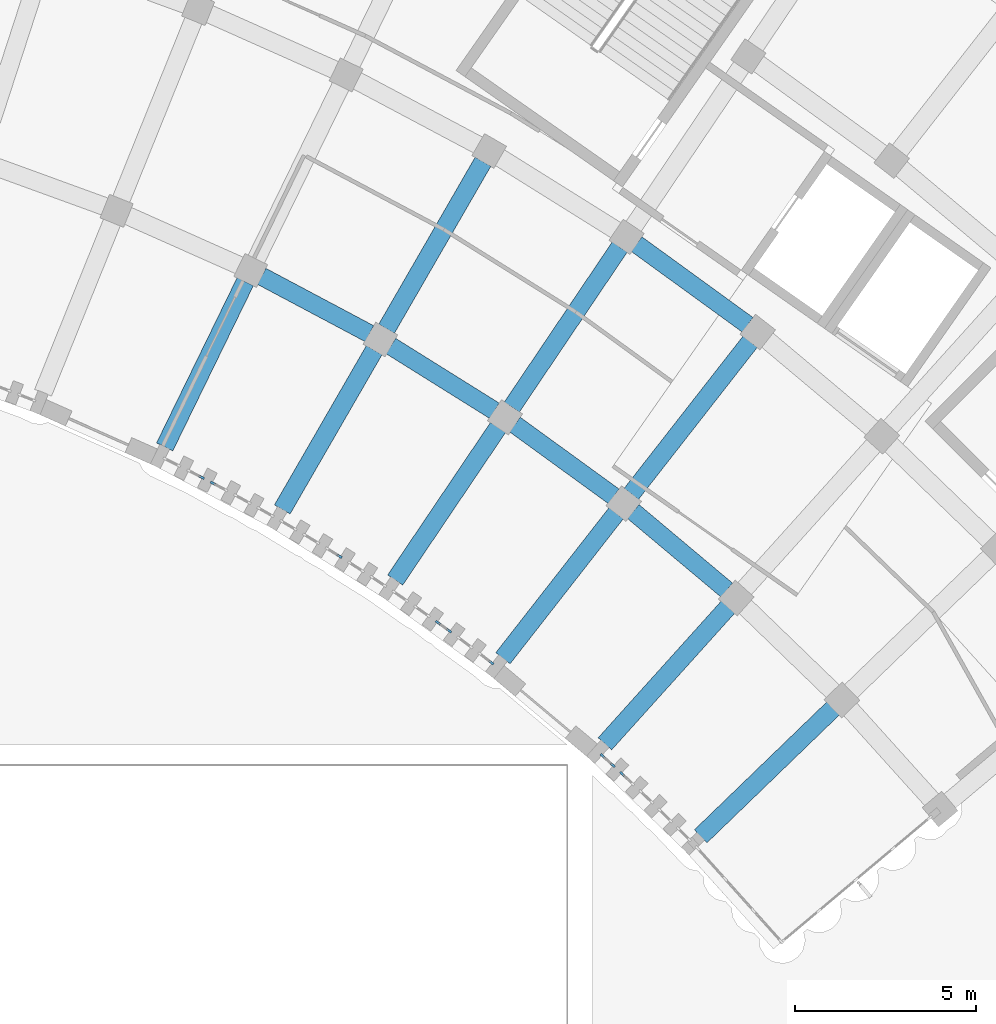
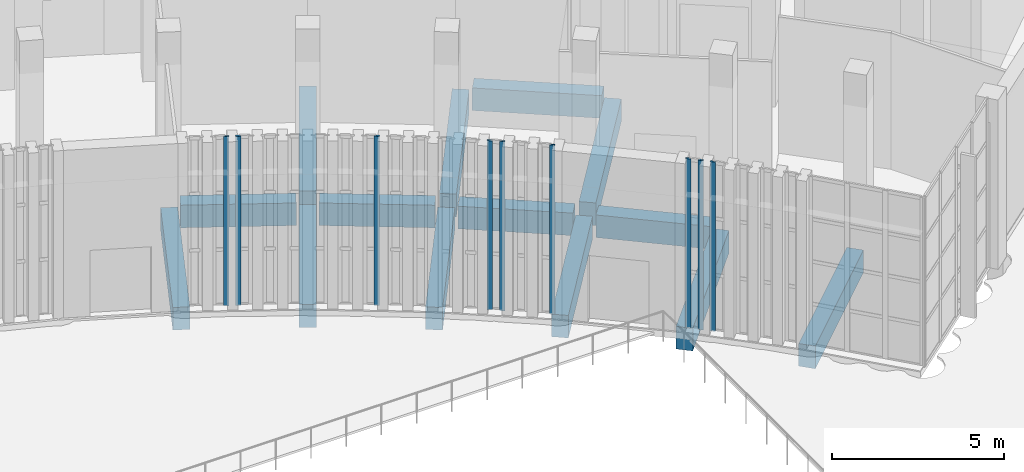
# One storey, part 33 of 155: 14 beams, 9 members, 7 elements without a shape of their own.
"""IFC4 building model written with IfcOpenShell, lengths in metres."""

import ifcopenshell
import ifcopenshell.guid

model = None  # the IFC model being written
_history = None  # IfcOwnerHistory: only IFC2X3 demands one
_inside = {}  # id of a spatial element -> (the spatial element, [elements in it])
_under = {}  # id of a project, library or spatial element -> (it, [spatial elements below it])
_declared = {}  # id of a project -> (the project, [libraries it declares])
_typed = {}  # id of a type object -> (the type object, [elements of that type])
_made_of = {}  # id of a material, layer set ... -> (it, [elements and type objects made of it])


def new_model(schema):
    """Start an empty IFC model of exactly this schema.

    Asked for "IFC4X3", IfcOpenShell would pick the latest addendum, in which some entities
    have other attributes; the version numbers below select the first issue.
    IFC2X3 requires an IfcOwnerHistory on every rooted entity: one is made here for all.
    """
    global model, _history
    if schema == "IFC4X3":
        model = ifcopenshell.file(schema_version=(4, 3, 0, 0))
    else:
        model = ifcopenshell.file(schema=schema)
    _inside.clear()
    _under.clear()
    _declared.clear()
    _typed.clear()
    _made_of.clear()
    _history = None
    if model.schema == "IFC2X3":
        org = make("IfcOrganization", Name="unknown")
        user = make(
            "IfcPersonAndOrganization",
            ThePerson=make("IfcPerson", FamilyName="unknown"),
            TheOrganization=org,
        )
        app = make(
            "IfcApplication",
            ApplicationDeveloper=org,
            Version="unknown",
            ApplicationFullName="unknown",
            ApplicationIdentifier="unknown",
        )
        _history = make(
            "IfcOwnerHistory",
            OwningUser=user,
            OwningApplication=app,
            ChangeAction="ADDED",
            CreationDate=0,
        )
    return model


def make(cls, **values):
    """One entity of the class cls with the attributes given. An attribute that is None is left unset."""
    return model.create_entity(
        cls, **{name: value for name, value in values.items() if value is not None}
    )


def rooted(cls, **values):
    """An entity with a GlobalId (a new one), such as an element, a storey or a relation."""
    return make(cls, GlobalId=ifcopenshell.guid.new(), OwnerHistory=_history, **values)


def si_unit(unit_type, name, prefix=None):
    """IfcSIUnit, for example si_unit("LENGTHUNIT", "METRE", prefix="MILLI")."""
    return make("IfcSIUnit", UnitType=unit_type, Prefix=prefix, Name=name)


def assignment(units):
    """IfcUnitAssignment: the units of a project."""
    return None if units is None else make("IfcUnitAssignment", Units=units)


def point(xyz):
    """IfcCartesianPoint."""
    return None if xyz is None else make("IfcCartesianPoint", Coordinates=xyz)


def direction(xyz):
    """IfcDirection."""
    return None if xyz is None else make("IfcDirection", DirectionRatios=xyz)


def frame(location, z_axis=None, x_axis=None):
    """IfcAxis2Placement3D, a coordinate frame: its origin and axes. An axis left out is left unset."""
    return make(
        "IfcAxis2Placement3D",
        Location=point(location),
        Axis=direction(z_axis),
        RefDirection=direction(x_axis),
    )


def frame_2d(location, x_axis=None):
    """IfcAxis2Placement2D, a coordinate frame in the plane: its origin and x axis."""
    return make(
        "IfcAxis2Placement2D", Location=point(location), RefDirection=direction(x_axis)
    )


def origin():
    """The frame at (0, 0, 0) with its axes left unset."""
    return frame((0.0, 0.0, 0.0))


def origin_2d():
    """The frame at (0, 0) in the plane with its x axis left unset."""
    return frame_2d((0.0, 0.0))


def place(relative_to, where):
    """IfcLocalPlacement: puts the frame where relative to a parent placement (None: the world)."""
    return make(
        "IfcLocalPlacement", PlacementRelTo=relative_to, RelativePlacement=where
    )


def context(
    kind, dimensions, precision=None, world=None, true_north=None, identifier=None
):
    """IfcGeometricRepresentationContext, for example the 3D "Model" context."""
    return make(
        "IfcGeometricRepresentationContext",
        ContextIdentifier=identifier,
        ContextType=kind,
        CoordinateSpaceDimension=dimensions,
        Precision=precision,
        WorldCoordinateSystem=world,
        TrueNorth=true_north,
    )


def subcontext(parent, identifier, kind, view, scale=None):
    """IfcGeometricRepresentationSubContext, for example "Body" below "Model"."""
    return make(
        "IfcGeometricRepresentationSubContext",
        ContextIdentifier=identifier,
        ContextType=kind,
        ParentContext=parent,
        TargetScale=scale,
        TargetView=view,
    )


def project(units=None, contexts=None):
    """IfcProject with its units and contexts."""
    return rooted(
        "IfcProject",
        Name="project",
        RepresentationContexts=contexts,
        UnitsInContext=assignment(units),
    )


def spatial(cls, under=None, at=None, **own):
    """A site, building, storey or space (cls), placed at a placement, below another one or the project."""
    s = rooted(cls, ObjectPlacement=at, **own)
    if under is not None:
        _under.setdefault(under.id(), (under, []))[1].append(s)
    return s


def profile(cls, at=None, kind="AREA", **sizes):
    """A parametric profile (cls). Its sizes go by their IFC names, for example OverallWidth=200.0."""
    return make(cls, ProfileType=kind, Position=at, **sizes)


def rectangle(**sizes):
    """IfcRectangleProfileDef."""
    return profile("IfcRectangleProfileDef", **sizes)


def extrude(swept, where, along, depth):
    """IfcExtrudedAreaSolid: the profile swept, set in the frame where, extruded along a direction by depth."""
    return make(
        "IfcExtrudedAreaSolid",
        SweptArea=swept,
        Position=where,
        ExtrudedDirection=direction(along),
        Depth=depth,
    )


def shape(context_of_items, identifier, shape_type, items):
    """IfcShapeRepresentation: the items that make up one representation, for example the "Body"."""
    return make(
        "IfcShapeRepresentation",
        ContextOfItems=context_of_items,
        RepresentationIdentifier=identifier,
        RepresentationType=shape_type,
        Items=items,
    )


def material(Name=None, Category=None):
    """IfcMaterial."""
    return make("IfcMaterial", Name=Name, Category=Category)


def layer(
    of_material, thickness, ventilated=None, Name=None, Category=None, Priority=None
):
    """IfcMaterialLayer: one layer of a wall or slab, of a material (None: an air gap)."""
    return make(
        "IfcMaterialLayer",
        Material=of_material,
        LayerThickness=thickness,
        IsVentilated=ventilated,
        Name=Name,
        Category=Category,
        Priority=Priority,
    )


def layer_set(layers, Name=None):
    """IfcMaterialLayerSet."""
    return make("IfcMaterialLayerSet", MaterialLayers=layers, LayerSetName=Name)


def material_profile(
    of_material, cross_section, Name=None, Category=None, Priority=None
):
    """IfcMaterialProfile: a cross section and its material."""
    return make(
        "IfcMaterialProfile",
        Name=Name,
        Material=of_material,
        Profile=cross_section,
        Priority=Priority,
        Category=Category,
    )


def profile_set(profiles, Name=None, composite=None):
    """IfcMaterialProfileSet."""
    return make(
        "IfcMaterialProfileSet",
        Name=Name,
        MaterialProfiles=profiles,
        CompositeProfile=composite,
    )


def made_of(thing, what):
    """Note that an element or type object is made of a material, layer set ...; save() writes the relation."""
    if what is not None:
        _made_of.setdefault(what.id(), (what, []))[1].append(thing)
    return thing


def type_object(cls, material=None, **own):
    """A type object (cls), such as IfcWallType, which elements share."""
    return made_of(rooted(cls, **own), material)


def element(
    cls,
    number,
    at=None,
    inside=None,
    cuts=None,
    type_object=None,
    material=None,
    context=None,
    identifier="Body",
    shape_type=None,
    held_by="IfcProductDefinitionShape",
    body=None,
    shapes=None,
    **own,
):
    """One element of the class cls, such as IfcWall. Its Tag is "e" and its number.

    at: its placement. inside: the storey or other place that contains it. cuts: it is an
    opening in that element (IfcRelVoidsElement). A single representation is given by context,
    identifier, shape_type and body (its items); several are given by shapes. held_by: the class
    of the entity that holds the representations. save() writes the other relations.
    """
    e = rooted(cls, Tag="e%d" % number, ObjectPlacement=at, **own)
    if body is not None:
        shapes = [shape(context, identifier, shape_type, body)]
    if shapes is not None:
        e.Representation = make(held_by, Representations=shapes)
    if inside is not None:
        _inside.setdefault(inside.id(), (inside, []))[1].append(e)
    if cuts is not None:
        rooted(
            "IfcRelVoidsElement", RelatingBuildingElement=cuts, RelatedOpeningElement=e
        )
    if type_object is not None:
        _typed.setdefault(type_object.id(), (type_object, []))[1].append(e)
    return made_of(e, material)


def aggregate(whole, parts):
    """IfcRelAggregates: a whole, such as a stair, and the parts it consists of."""
    return rooted("IfcRelAggregates", RelatingObject=whole, RelatedObjects=parts)


def save(model, path):
    """Write the relations noted so far, then the file.

    IfcRelAggregates (storeys below a building ...), IfcRelContainedInSpatialStructure (elements
    in a storey), IfcRelDefinesByType, IfcRelAssociatesMaterial and IfcRelDeclares: one each for
    every whole, place, type object, material and project.
    """
    for whole, parts in _under.values():
        aggregate(whole, parts)
    for where, things in _inside.values():
        rooted(
            "IfcRelContainedInSpatialStructure",
            RelatedElements=things,
            RelatingStructure=where,
        )
    for kind, things in _typed.values():
        rooted("IfcRelDefinesByType", RelatedObjects=things, RelatingType=kind)
    for what, things in _made_of.values():
        rooted("IfcRelAssociatesMaterial", RelatedObjects=things, RelatingMaterial=what)
    for by, libraries in _declared.values():
        rooted("IfcRelDeclares", RelatingContext=by, RelatedDefinitions=libraries)
    model.write(path)


model = new_model("IFC4")

# Units and contexts
model_context = context("Model", 3, precision=1e-05, world=origin(), true_north=direction((0.0, 1.0)))
body_context = subcontext(model_context, "Body", "Model", "MODEL_VIEW")
ifc_project = project(units=[si_unit("LENGTHUNIT", "METRE"), si_unit("AREAUNIT", "SQUARE_METRE"), si_unit("VOLUMEUNIT", "CUBIC_METRE"), si_unit("PLANEANGLEUNIT", "RADIAN"), si_unit("MASSUNIT", "GRAM", prefix="KILO")], contexts=[model_context])

# Site, building, storey
site_placement = place(None, origin())
site = spatial("IfcSite", under=ifc_project, at=site_placement, CompositionType="ELEMENT")
building_placement = place(site_placement, origin())
building = spatial("IfcBuilding", under=site, at=building_placement, Name="Lunette Opera House", CompositionType="ELEMENT")
storey_placement = place(building_placement, origin())
storey = spatial("IfcBuildingStorey", under=building, at=storey_placement, Name="L00", CompositionType="ELEMENT", Elevation=0.0)

# Curtain wall, member
ifc_material_1 = material(Name="Aluminium", Category="aluminium")
ifc_layer = layer(ifc_material_1, 0.1201171875)
ifc_layer_set = layer_set([ifc_layer], Name="Aluminium")
curtain_wall_type = type_object("IfcCurtainWallType", Name="SLOT CURTAIN WALL", PredefinedType="NOTDEFINED", material=ifc_layer_set)
curtain_wall_1_placement = place(storey_placement, origin())
curtain_wall_1 = element("IfcCurtainWall", 1, at=curtain_wall_1_placement, inside=storey, type_object=curtain_wall_type, Name="Slot Curtain Wall CS062 L00", PredefinedType="NOTDEFINED")
ifc_material_2 = material(Name="Aluminium", Category="aluminium")
ifc_material_profile_1 = material_profile(ifc_material_2, rectangle(XDim=0.06005859375, YDim=0.159912109375, at=origin_2d()), Name="MULLION 60 X 160")
ifc_profile_set_1 = profile_set([ifc_material_profile_1], Name="Aluminium")
member_type = type_object("IfcMemberType", Name="MULLION 60 X 160", PredefinedType="MULLION", material=ifc_profile_set_1)
member_1_placement = place(storey_placement, frame((120.0703125, 46.431640625, 0.0), z_axis=(0.0, 0.0, 1.0), x_axis=(0.45650577905, 0.889720446935, 0.0)))
member_1 = element("IfcMember", 2, at=member_1_placement, type_object=member_type, Name="FC-X2123 mullion 2", PredefinedType="MULLION", context=body_context, shape_type="SweptSolid", body=[
    extrude(rectangle(XDim=0.06005859375, YDim=0.159912109375, at=origin_2d()), origin(), (0.0, 0.0, 1.0), 6.0),
])
aggregate(curtain_wall_1, [member_1])

curtain_wall_2_placement = place(storey_placement, origin())
curtain_wall_2 = element("IfcCurtainWall", 3, at=curtain_wall_2_placement, inside=storey, type_object=curtain_wall_type, Name="Slot Curtain Wall CS063 L00", PredefinedType="NOTDEFINED")
member_2_placement = place(storey_placement, frame((120.389404296875, 46.264892578125, 0.0), z_axis=(0.0, 0.0, 1.0), x_axis=(0.469381737569, 0.882995347914, 0.0)))
member_2 = element("IfcMember", 4, at=member_2_placement, type_object=member_type, Name="FC-X2125 mullion 1", PredefinedType="MULLION", context=body_context, shape_type="SweptSolid", body=[
    extrude(rectangle(XDim=0.06005859375, YDim=0.159912109375, at=origin_2d()), origin(), (0.0, 0.0, 1.0), 6.0),
])
aggregate(curtain_wall_2, [member_2])

curtain_wall_3_placement = place(storey_placement, origin())
curtain_wall_3 = element("IfcCurtainWall", 5, at=curtain_wall_3_placement, inside=storey, type_object=curtain_wall_type, Name="Slot Curtain Wall CS068 L00", PredefinedType="NOTDEFINED")
member_3_placement = place(storey_placement, frame((123.87158203125, 44.2548828125, 0.0), z_axis=(0.0, 0.0, 1.0), x_axis=(0.52979005735, 0.848128819893, 0.0)))
member_3 = element("IfcMember", 6, at=member_3_placement, type_object=member_type, Name="FC-X2135 mullion 2", PredefinedType="MULLION", context=body_context, shape_type="SweptSolid", body=[
    extrude(rectangle(XDim=0.06005859375, YDim=0.159912109375, at=origin_2d()), origin(), (0.0, 0.0, 1.0), 6.0),
])
aggregate(curtain_wall_3, [member_3])

# Curtain wall, members
curtain_wall_4_placement = place(storey_placement, origin())
curtain_wall_4 = element("IfcCurtainWall", 7, at=curtain_wall_4_placement, inside=storey, type_object=curtain_wall_type, Name="Slot Curtain Wall CS073 L00", PredefinedType="NOTDEFINED")
member_4_placement = place(storey_placement, frame((126.59130859375, 42.42041015625, 0.0), z_axis=(0.0, 0.0, 1.0), x_axis=(0.58803349085, 0.808836580304, 0.0)))
member_4 = element("IfcMember", 8, at=member_4_placement, type_object=member_type, Name="FC-X2145 mullion 1", PredefinedType="MULLION", context=body_context, shape_type="SweptSolid", body=[
    extrude(rectangle(XDim=0.06005859375, YDim=0.159912109375, at=origin_2d()), origin(), (0.0, 0.0, 1.0), 6.0),
])
member_5_placement = place(storey_placement, frame((126.890625, 42.20263671875, 0.0), z_axis=(0.0, 0.0, 1.0), x_axis=(0.58803349085, 0.808836580304, 0.0)))
member_5 = element("IfcMember", 9, at=member_5_placement, type_object=member_type, Name="FC-X2145 mullion 2", PredefinedType="MULLION", context=body_context, shape_type="SweptSolid", body=[
    extrude(rectangle(XDim=0.06005859375, YDim=0.159912109375, at=origin_2d()), origin(), (0.0, 0.0, 1.0), 6.0),
])
aggregate(curtain_wall_4, [member_4, member_5])

# Curtain wall, member
curtain_wall_5_placement = place(storey_placement, origin())
curtain_wall_5 = element("IfcCurtainWall", 10, at=curtain_wall_5_placement, inside=storey, type_object=curtain_wall_type, Name="Slot Curtain Wall CS075 L00", PredefinedType="NOTDEFINED")
member_6_placement = place(storey_placement, frame((128.05712890625, 41.3232421875, 0.0), z_axis=(0.0, 0.0, 1.0), x_axis=(0.610720263036, 0.791846424704, 0.0)))
member_6 = element("IfcMember", 11, at=member_6_placement, type_object=member_type, Name="FC-X2149 mullion 2", PredefinedType="MULLION", context=body_context, shape_type="SweptSolid", body=[
    extrude(rectangle(XDim=0.06005859375, YDim=0.159912109375, at=origin_2d()), origin(), (0.0, 0.0, 1.0), 6.0),
])
aggregate(curtain_wall_5, [member_6])

# Curtain wall, members
curtain_wall_6_placement = place(storey_placement, origin())
curtain_wall_6 = element("IfcCurtainWall", 12, at=curtain_wall_6_placement, inside=storey, type_object=curtain_wall_type, Name="Slot Curtain Wall CS076 L00", PredefinedType="NOTDEFINED")
member_7_placement = place(storey_placement, frame((131.129150390625, 38.745849609375, 0.0), z_axis=(0.0, 0.0, 1.0), x_axis=(0.673828488716, 0.738887791071, 0.0)))
member_7 = element("IfcMember", 13, at=member_7_placement, type_object=member_type, Name="FC-X2151 mullion 1", PredefinedType="MULLION", context=body_context, shape_type="SweptSolid", body=[
    extrude(rectangle(XDim=0.06005859375, YDim=0.159912109375, at=origin_2d()), origin(), (0.0, 0.0, 1.0), 6.0),
])
member_8_placement = place(storey_placement, frame((131.40283203125, 38.49609375, 0.0), z_axis=(0.0, 0.0, 1.0), x_axis=(0.673828488716, 0.738887791071, 0.0)))
member_8 = element("IfcMember", 14, at=member_8_placement, type_object=member_type, Name="FC-X2151 mullion 2", PredefinedType="MULLION", context=body_context, shape_type="SweptSolid", body=[
    extrude(rectangle(XDim=0.06005859375, YDim=0.159912109375, at=origin_2d()), origin(), (0.0, 0.0, 1.0), 6.0),
])
aggregate(curtain_wall_6, [member_7, member_8])

# Curtain wall, member
curtain_wall_7_placement = place(storey_placement, origin())
curtain_wall_7 = element("IfcCurtainWall", 15, at=curtain_wall_7_placement, inside=storey, type_object=curtain_wall_type, Name="Slot Curtain Wall CS077 L00", PredefinedType="NOTDEFINED")
member_9_placement = place(storey_placement, frame((131.666748046875, 38.25146484375, 0.0), z_axis=(0.0, 0.0, 1.0), x_axis=(0.685872190933, 0.727722019527, 0.0)))
member_9 = element("IfcMember", 16, at=member_9_placement, type_object=member_type, Name="FC-X2153 mullion 1", PredefinedType="MULLION", context=body_context, shape_type="SweptSolid", body=[
    extrude(rectangle(XDim=0.06005859375, YDim=0.159912109375, at=origin_2d()), origin(), (0.0, 0.0, 1.0), 6.0),
])
aggregate(curtain_wall_7, [member_9])

# Beams
ifc_material_3 = material(Name="Concrete C35/45", Category="concrete")
ifc_material_profile_2 = material_profile(ifc_material_3, rectangle(XDim=0.5, YDim=0.800048828125, at=origin_2d()), Name="RC BEAM 500X800")
ifc_profile_set_2 = profile_set([ifc_material_profile_2], Name="Concrete C35/45")
beam_type = type_object("IfcBeamType", Name="RC BEAM 500X800", PredefinedType="BEAM", material=ifc_profile_set_2)
beam_1_placement = place(storey_placement, frame((119.053955078125, 47.26806640625, -0.6201171875), z_axis=(0.438348663616, 0.898805011727, 0.0), x_axis=(-0.898805011727, 0.438348663616, 0.0)))
element("IfcBeam", 17, at=beam_1_placement, inside=storey, type_object=beam_type, Name="beam-FC-L00-L00-RB-RL-20-1", PredefinedType="BEAM", context=body_context, shape_type="SweptSolid", body=[
    extrude(rectangle(XDim=0.5, YDim=0.800048828125, at=origin_2d()), origin(), (0.0, 0.0, 1.0), 5.06884765625),
])
beam_2_placement = place(storey_placement, frame((122.294921875, 45.5439453125, -0.6201171875), z_axis=(0.499991985073, 0.866030031155, 0.0), x_axis=(-0.866030031155, 0.499991985073, 0.0)))
element("IfcBeam", 18, at=beam_2_placement, inside=storey, type_object=beam_type, Name="beam-FC-L00-L00-RB-RL-21-1", PredefinedType="BEAM", context=body_context, shape_type="SweptSolid", body=[
    extrude(rectangle(XDim=0.5, YDim=0.800048828125, at=origin_2d()), origin(), (0.0, 0.0, 1.0), 5.0703125),
])
beam_3_placement = place(storey_placement, frame((125.169921875, 50.52392578125, -0.6201171875), z_axis=(0.500028328365, 0.866009047777, 0.0), x_axis=(-0.866009047777, 0.500028328365, 0.0)))
element("IfcBeam", 19, at=beam_3_placement, inside=storey, type_object=beam_type, Name="beam-FC-L00-L00-RB-RL-21-2", PredefinedType="BEAM", context=body_context, shape_type="SweptSolid", body=[
    extrude(rectangle(XDim=0.5, YDim=0.800048828125, at=origin_2d()), origin(), (0.0, 0.0, 1.0), 5.320068359375),
])
beam_4_placement = place(storey_placement, frame((125.407958984375, 43.59912109375, -0.6201171875), z_axis=(0.559204020716, 0.82903007377, 0.0), x_axis=(-0.82903007377, 0.559204020716, 0.0)))
element("IfcBeam", 20, at=beam_4_placement, inside=storey, type_object=beam_type, Name="beam-FC-L00-L00-RB-RL-22-1", PredefinedType="BEAM", context=body_context, shape_type="SweptSolid", body=[
    extrude(rectangle(XDim=0.5, YDim=0.800048828125, at=origin_2d()), origin(), (0.0, 0.0, 1.0), 5.069580078125),
])
beam_5_placement = place(storey_placement, frame((128.623046875, 48.365966796875, -0.6201171875), z_axis=(0.559129198637, 0.829080538447, 0.0), x_axis=(-0.829080538447, 0.559129198637, 0.0)))
element("IfcBeam", 21, at=beam_5_placement, inside=storey, type_object=beam_type, Name="beam-FC-L00-L00-RB-RL-22-2", PredefinedType="BEAM", context=body_context, shape_type="SweptSolid", body=[
    extrude(rectangle(XDim=0.5, YDim=0.800048828125, at=origin_2d()), origin(), (0.0, 0.0, 1.0), 5.320556640625),
])
beam_6_placement = place(storey_placement, frame((128.3779296875, 41.44091796875, -0.6201171875), z_axis=(0.615539387219, 0.788106124061, 0.0), x_axis=(-0.788106124061, 0.615539387219, 0.0)))
element("IfcBeam", 22, at=beam_6_placement, inside=storey, type_object=beam_type, Name="beam-FC-L00-L00-RB-RL-23-1", PredefinedType="BEAM", context=body_context, shape_type="SweptSolid", body=[
    extrude(rectangle(XDim=0.5, YDim=0.800048828125, at=origin_2d()), origin(), (0.0, 0.0, 1.0), 5.070556640625),
])
beam_7_placement = place(storey_placement, frame((131.91796875, 45.972900390625, -0.6201171875), z_axis=(0.615648494847, 0.788020894896, 0.0), x_axis=(-0.788020894896, 0.615648494847, 0.0)))
element("IfcBeam", 23, at=beam_7_placement, inside=storey, type_object=beam_type, Name="beam-FC-L00-L00-RB-RL-23-2", PredefinedType="BEAM", context=body_context, shape_type="SweptSolid", body=[
    extrude(rectangle(XDim=0.5, YDim=0.800048828125, at=origin_2d()), origin(), (0.0, 0.0, 1.0), 5.31982421875),
])
for number, where, z_axis, x_axis, name in (
    (24, (131.18994140625, 39.08203125, -0.6201171875), (0.66905518217, 0.743212730792, 0.0), (-0.743212730792, 0.66905518217, 0.0), "beam-FC-L00-L00-RB-RL-24-1"),
    (25, (133.830078125, 36.531982421875, -0.6201171875), (0.719326780477, 0.694671852668, 0.0), (-0.694671852668, 0.719326780477, 0.0), "beam-FC-L00-L00-RB-RL-25-1"),
):
    element("IfcBeam", number, at=place(storey_placement, frame(where, z_axis=z_axis, x_axis=x_axis)), inside=storey, type_object=beam_type, Name=name, PredefinedType="BEAM", context=body_context, shape_type="SweptSolid", body=[
        extrude(rectangle(XDim=0.5, YDim=0.800048828125, at=origin_2d()), origin(), (0.0, 0.0, 1.0), 5.070068359375),
    ])
beam_8_placement = place(storey_placement, frame((121.72607421875, 51.969970703125, -0.6201171875), z_axis=(0.882970205141, -0.469429032797, 0.0), x_axis=(0.469429032797, 0.882970205141, 0.0)))
element("IfcBeam", 26, at=beam_8_placement, inside=storey, type_object=beam_type, Name="beam-FC-L00-L00-RG-AR-M1-RL-20", PredefinedType="BEAM", context=body_context, shape_type="SweptSolid", body=[
    extrude(rectangle(XDim=0.5, YDim=0.800048828125, at=origin_2d()), origin(), (0.0, 0.0, 1.0), 3.367919921875),
])
beam_9_placement = place(storey_placement, frame((125.2890625, 50.049072265625, -0.6201171875), z_axis=(0.847892378533, -0.530168383088, 0.0), x_axis=(0.530168383088, 0.847892378533, 0.0)))
element("IfcBeam", 27, at=beam_9_placement, inside=storey, type_object=beam_type, Name="beam-FC-L00-L00-RG-AR-M1-RL-21", PredefinedType="BEAM", context=body_context, shape_type="SweptSolid", body=[
    extrude(rectangle(XDim=0.5, YDim=0.800048828125, at=origin_2d()), origin(), (0.0, 0.0, 1.0), 3.3671875),
])
beam_10_placement = place(storey_placement, frame((128.7080078125, 47.884033203125, -0.6201171875), z_axis=(0.809143406589, -0.587611221449, 0.0), x_axis=(0.587611221449, 0.809143406589, 0.0)))
element("IfcBeam", 28, at=beam_10_placement, inside=storey, type_object=beam_type, Name="beam-FC-L00-L00-RG-AR-M1-RL-22", PredefinedType="BEAM", context=body_context, shape_type="SweptSolid", body=[
    extrude(rectangle(XDim=0.5, YDim=0.800048828125, at=origin_2d()), origin(), (0.0, 0.0, 1.0), 3.367919921875),
])
beam_11_placement = place(storey_placement, frame((131.968994140625, 45.486083984375, -0.6201171875), z_axis=(0.766030340985, -0.642804415581, 0.0), x_axis=(0.642804415581, 0.766030340985, 0.0)))
element("IfcBeam", 29, at=beam_11_placement, inside=storey, type_object=beam_type, Name="beam-FC-L00-L00-RG-AR-M1-RL-23", PredefinedType="BEAM", context=body_context, shape_type="SweptSolid", body=[
    extrude(rectangle(XDim=0.5, YDim=0.800048828125, at=origin_2d()), origin(), (0.0, 0.0, 1.0), 3.3681640625),
])
beam_12_placement = place(storey_placement, frame((132.06298828125, 52.85791015625, -0.6201171875), z_axis=(0.809173599982, -0.58756964276, 0.0), x_axis=(0.58756964276, 0.809173599982, 0.0)))
element("IfcBeam", 30, at=beam_12_placement, inside=storey, type_object=beam_type, Name="beam-FC-L00-L00-RG-AR-B-RL-22", PredefinedType="BEAM", context=body_context, shape_type="SweptSolid", body=[
    extrude(rectangle(XDim=0.5, YDim=0.800048828125, at=origin_2d()), origin(), (0.0, 0.0, 1.0), 3.78662109375),
])

save(model, "model.ifc")
